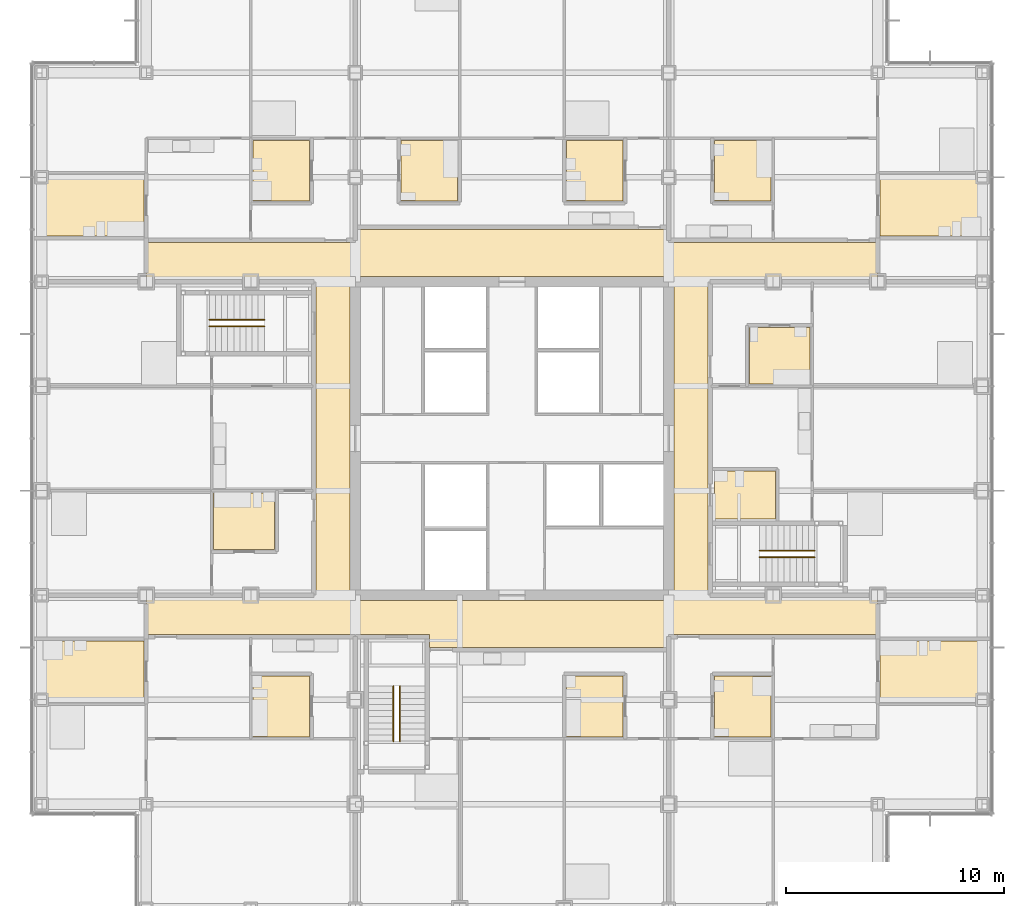
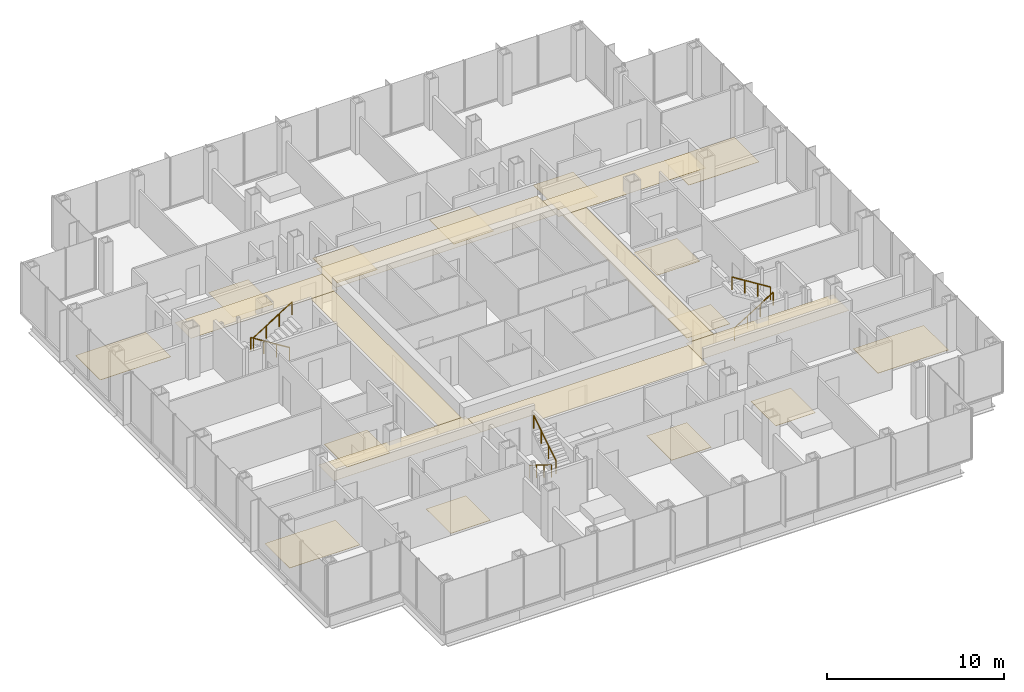
# One storey, part 19 of 21: 22 coverings, 6 railings.
"""IFC4 building model written with IfcOpenShell, lengths in metres."""

from ifc_helpers import new_model, si_unit, direction, frame, origin, origin_2d, place, context, subcontext, project, spatial, polyline, circle, outline, extrude, material, layer, layer_set, type_object, element, save


model = new_model("IFC4")

# Units and contexts
model_context = context("Model", 3, precision=1e-05, world=origin(), true_north=direction((0.0, 1.0)))
body_context = subcontext(model_context, "Body", "Model", "MODEL_VIEW")
ifc_project = project(units=[si_unit("LENGTHUNIT", "METRE"), si_unit("AREAUNIT", "SQUARE_METRE"), si_unit("VOLUMEUNIT", "CUBIC_METRE"), si_unit("PLANEANGLEUNIT", "RADIAN"), si_unit("MASSUNIT", "GRAM", prefix="KILO")], contexts=[model_context])

# Site, building, storey
site_placement = place(None, origin())
site = spatial("IfcSite", under=ifc_project, at=site_placement, CompositionType="ELEMENT")
building_placement = place(site_placement, origin())
building = spatial("IfcBuilding", under=site, at=building_placement, Name="Kvirike Care Tower", CompositionType="ELEMENT")
storey_placement = place(building_placement, frame((0.0, 0.0, 62.0)))
storey = spatial("IfcBuildingStorey", under=building, at=storey_placement, Name="L16", CompositionType="ELEMENT", Elevation=62.0)

# Coverings
ifc_material_1 = material(Name="Perforated metal ceiling tile", Category="aluminium")
ifc_layer_1 = layer(ifc_material_1, 0.014892578125)
ifc_layer_set_1 = layer_set([ifc_layer_1], Name="CORRIDOR CEILING 15")
covering_type_1 = type_object("IfcCoveringType", Name="CORRIDOR CEILING 15", PredefinedType="CEILING", material=ifc_layer_set_1)
covering_1_placement = place(storey_placement, frame((0.0, 0.0, 2.5)))
element("IfcCovering", 1, at=covering_1_placement, inside=storey, type_object=covering_type_1, Name="Corridor ceiling L16", PredefinedType="CEILING", context=body_context, shape_type="SweptSolid", body=[
    extrude(outline(polyline([(4.800048828125, 27.0), (4.800048828125, 28.800048828125), (14.39990234375, 28.800048828125), (14.39990234375, 27.0), (4.800048828125, 27.0)])), origin(), (0.0, 0.0, 1.0), 0.014892578125),
])
covering_2_placement = place(storey_placement, frame((0.0, 0.0, 2.5)))
element("IfcCovering", 2, at=covering_2_placement, inside=storey, type_object=covering_type_1, Name="Corridor ceiling L16", PredefinedType="CEILING", context=body_context, shape_type="SweptSolid", body=[
    extrude(outline(polyline([(12.60009765625, 43.199951171875), (14.14990234375, 43.199951171875), (14.14990234375, 28.800048828125), (12.60009765625, 28.800048828125), (12.60009765625, 43.199951171875)])), origin(), (0.0, 0.0, 1.0), 0.014892578125),
])
covering_3_placement = place(storey_placement, frame((0.0, 0.0, 2.5)))
element("IfcCovering", 3, at=covering_3_placement, inside=storey, type_object=covering_type_1, Name="Corridor ceiling L16", PredefinedType="CEILING", context=body_context, shape_type="SweptSolid", body=[
    extrude(outline(polyline([(14.39990234375, 45.0), (14.39990234375, 43.199951171875), (4.800048828125, 43.199951171875), (4.800048828125, 45.0), (14.39990234375, 45.0)])), origin(), (0.0, 0.0, 1.0), 0.014892578125),
])
covering_4_placement = place(storey_placement, frame((0.0, 0.0, 2.5)))
element("IfcCovering", 4, at=covering_4_placement, inside=storey, type_object=covering_type_1, Name="Corridor ceiling L16", PredefinedType="CEILING", context=body_context, shape_type="SweptSolid", body=[
    extrude(outline(polyline([(14.39990234375, 28.550048828125), (28.800048828125, 28.550048828125), (28.800048828125, 26.39990234375), (17.800048828125, 26.39990234375), (17.800048828125, 27.0), (14.39990234375, 27.0), (14.39990234375, 28.550048828125)])), origin(), (0.0, 0.0, 1.0), 0.014892578125),
])
covering_5_placement = place(storey_placement, frame((0.0, 0.0, 2.5)))
element("IfcCovering", 5, at=covering_5_placement, inside=storey, type_object=covering_type_1, Name="Corridor ceiling L16", PredefinedType="CEILING", context=body_context, shape_type="SweptSolid", body=[
    extrude(outline(polyline([(28.800048828125, 45.60009765625), (28.800048828125, 43.449951171875), (14.39990234375, 43.449951171875), (14.39990234375, 45.60009765625), (28.800048828125, 45.60009765625)])), origin(), (0.0, 0.0, 1.0), 0.014892578125),
])
covering_6_placement = place(storey_placement, frame((0.0, 0.0, 2.5)))
element("IfcCovering", 6, at=covering_6_placement, inside=storey, type_object=covering_type_1, Name="Corridor ceiling L16", PredefinedType="CEILING", context=body_context, shape_type="SweptSolid", body=[
    extrude(outline(polyline([(28.800048828125, 27.0), (28.800048828125, 28.800048828125), (38.39990234375, 28.800048828125), (38.39990234375, 27.0), (28.800048828125, 27.0)])), origin(), (0.0, 0.0, 1.0), 0.014892578125),
])
covering_7_placement = place(storey_placement, frame((0.0, 0.0, 2.5)))
element("IfcCovering", 7, at=covering_7_placement, inside=storey, type_object=covering_type_1, Name="Corridor ceiling L16", PredefinedType="CEILING", context=body_context, shape_type="SweptSolid", body=[
    extrude(outline(polyline([(30.60009765625, 28.800048828125), (29.050048828125, 28.800048828125), (29.050048828125, 43.199951171875), (30.60009765625, 43.199951171875), (30.60009765625, 28.800048828125)])), origin(), (0.0, 0.0, 1.0), 0.014892578125),
])
covering_8_placement = place(storey_placement, frame((0.0, 0.0, 2.5)))
element("IfcCovering", 8, at=covering_8_placement, inside=storey, type_object=covering_type_1, Name="Corridor ceiling L16", PredefinedType="CEILING", context=body_context, shape_type="SweptSolid", body=[
    extrude(outline(polyline([(38.39990234375, 45.0), (38.39990234375, 43.199951171875), (28.800048828125, 43.199951171875), (28.800048828125, 45.0), (38.39990234375, 45.0)])), origin(), (0.0, 0.0, 1.0), 0.014892578125),
])

# Railings
ifc_material_2 = material(Name="Stainless steel handrail", Category="steel")
railing_type = type_object("IfcRailingType", Name="STAIR HANDRAIL 900", PredefinedType="HANDRAIL", material=ifc_material_2)
railing_1_placement = place(storey_placement, frame((10.219970703125, 41.449951171875, 0.175048828125)))
element("IfcRailing", 9, at=railing_1_placement, inside=storey, type_object=railing_type, Name="Stair 1 handrail L16 flight 1", PredefinedType="HANDRAIL", context=body_context, shape_type="SweptSolid", body=[
    extrude(circle(Radius=0.02490234375, at=origin_2d()), frame((0.0, 0.0, 0.875), z_axis=(-0.848007534815, 0.0, 0.529984170421), x_axis=(0.0, -1.0, 0.0)), (0.0, 0.0, 1.0), 2.9716796875),
    extrude(circle(Radius=0.02001953125, at=origin_2d()), origin(), (0.0, 0.0, 1.0), 0.849853515625),
    extrude(circle(Radius=0.02001953125, at=origin_2d()), frame((-0.840087890625, 0.0, 0.52490234375)), (0.0, 0.0, 1.0), 0.849853515625),
    extrude(circle(Radius=0.02001953125, at=origin_2d()), frame((-1.679931640625, 0.0, 1.050048828125)), (0.0, 0.0, 1.0), 0.849853515625),
    extrude(circle(Radius=0.02001953125, at=origin_2d()), frame((-2.52001953125, 0.0, 1.574951171875)), (0.0, 0.0, 1.0), 0.849853515625),
])
for number, where, name in (
    (10, (7.699951171875, 41.14990234375, 1.925048828125), "Stair 1 handrail L16 flight 2"),
    (11, (32.97998046875, 30.550048828125, 0.175048828125), "Stair 2 handrail L16 flight 1"),
):
    element("IfcRailing", number, at=place(storey_placement, frame(where)), inside=storey, type_object=railing_type, Name=name, PredefinedType="HANDRAIL", context=body_context, shape_type="SweptSolid", body=[
        extrude(circle(Radius=0.02490234375, at=origin_2d()), frame((0.0, 0.0, 0.875), z_axis=(0.848007534815, 0.0, 0.529984170421), x_axis=(0.0, 1.0, 0.0)), (0.0, 0.0, 1.0), 2.9716796875),
        extrude(circle(Radius=0.02001953125, at=origin_2d()), origin(), (0.0, 0.0, 1.0), 0.849853515625),
        extrude(circle(Radius=0.02001953125, at=origin_2d()), frame((0.840087890625, 0.0, 0.52490234375)), (0.0, 0.0, 1.0), 0.849853515625),
        extrude(circle(Radius=0.02001953125, at=origin_2d()), frame((1.679931640625, 0.0, 1.050048828125)), (0.0, 0.0, 1.0), 0.849853515625),
        extrude(circle(Radius=0.02001953125, at=origin_2d()), frame((2.52001953125, 0.0, 1.574951171875)), (0.0, 0.0, 1.0), 0.849853515625),
    ])
railing_2_placement = place(storey_placement, frame((35.5, 30.85009765625, 1.925048828125)))
element("IfcRailing", 12, at=railing_2_placement, inside=storey, type_object=railing_type, Name="Stair 2 handrail L16 flight 2", PredefinedType="HANDRAIL", context=body_context, shape_type="SweptSolid", body=[
    extrude(circle(Radius=0.02490234375, at=origin_2d()), frame((0.0, 0.0, 0.875), z_axis=(-0.848007534815, 0.0, 0.529984170421), x_axis=(0.0, -1.0, 0.0)), (0.0, 0.0, 1.0), 2.9716796875),
    extrude(circle(Radius=0.02001953125, at=origin_2d()), origin(), (0.0, 0.0, 1.0), 0.849853515625),
    extrude(circle(Radius=0.02001953125, at=origin_2d()), frame((-0.840087890625, 0.0, 0.52490234375)), (0.0, 0.0, 1.0), 0.849853515625),
    extrude(circle(Radius=0.02001953125, at=origin_2d()), frame((-1.679931640625, 0.0, 1.050048828125)), (0.0, 0.0, 1.0), 0.849853515625),
    extrude(circle(Radius=0.02001953125, at=origin_2d()), frame((-2.52001953125, 0.0, 1.574951171875)), (0.0, 0.0, 1.0), 0.849853515625),
])
railing_3_placement = place(storey_placement, frame((16.14990234375, 24.6201171875, 0.175048828125)))
element("IfcRailing", 13, at=railing_3_placement, inside=storey, type_object=railing_type, Name="Stair 5 handrail L16 flight 1", PredefinedType="HANDRAIL", context=body_context, shape_type="SweptSolid", body=[
    extrude(circle(Radius=0.02490234375, at=origin_2d()), frame((0.0, 0.0, 0.875), z_axis=(0.0, -0.848007534815, 0.529984170421), x_axis=(1.0, 0.0, 0.0)), (0.0, 0.0, 1.0), 2.9716796875),
    extrude(circle(Radius=0.02001953125, at=origin_2d()), origin(), (0.0, 0.0, 1.0), 0.849853515625),
    extrude(circle(Radius=0.02001953125, at=origin_2d()), frame((0.0, -0.840087890625, 0.52490234375)), (0.0, 0.0, 1.0), 0.849853515625),
    extrude(circle(Radius=0.02001953125, at=origin_2d()), frame((0.0, -1.679931640625, 1.050048828125)), (0.0, 0.0, 1.0), 0.849853515625),
    extrude(circle(Radius=0.02001953125, at=origin_2d()), frame((0.0, -2.52001953125, 1.574951171875)), (0.0, 0.0, 1.0), 0.849853515625),
])
railing_4_placement = place(storey_placement, frame((16.449951171875, 22.10009765625, 1.925048828125)))
element("IfcRailing", 14, at=railing_4_placement, inside=storey, type_object=railing_type, Name="Stair 5 handrail L16 flight 2", PredefinedType="HANDRAIL", context=body_context, shape_type="SweptSolid", body=[
    extrude(circle(Radius=0.02490234375, at=origin_2d()), frame((0.0, 0.0, 0.875), z_axis=(0.0, 0.848007534815, 0.529984170421), x_axis=(-1.0, 0.0, 0.0)), (0.0, 0.0, 1.0), 2.9716796875),
    extrude(circle(Radius=0.02001953125, at=origin_2d()), origin(), (0.0, 0.0, 1.0), 0.849853515625),
    extrude(circle(Radius=0.02001953125, at=origin_2d()), frame((0.0, 0.840087890625, 0.52490234375)), (0.0, 0.0, 1.0), 0.849853515625),
    extrude(circle(Radius=0.02001953125, at=origin_2d()), frame((0.0, 1.679931640625, 1.050048828125)), (0.0, 0.0, 1.0), 0.849853515625),
    extrude(circle(Radius=0.02001953125, at=origin_2d()), frame((0.0, 2.52001953125, 1.574951171875)), (0.0, 0.0, 1.0), 0.849853515625),
])

# Coverings
ifc_material_3 = material(Name="Slip-resistant vinyl safety flooring on screed")
ifc_layer_2 = layer(ifc_material_3, 0.02001953125)
ifc_layer_set_2 = layer_set([ifc_layer_2], Name="WET ROOM FLOOR 20")
covering_type_2 = type_object("IfcCoveringType", Name="WET ROOM FLOOR 20", PredefinedType="FLOORING", material=ifc_layer_set_2)
covering_9_placement = place(storey_placement, origin())
element("IfcCovering", 15, at=covering_9_placement, inside=storey, type_object=covering_type_2, Name="Shower room floor L16-004", PredefinedType="FLOORING", context=body_context, shape_type="SweptSolid", body=[
    extrude(outline(polyline([(0.10009765625, 23.89990234375), (0.10009765625, 26.699951171875), (4.699951171875, 26.699951171875), (4.699951171875, 23.89990234375), (0.10009765625, 23.89990234375)])), origin(), (0.0, 0.0, 1.0), 0.02001953125),
])
covering_10_placement = place(storey_placement, origin())
element("IfcCovering", 16, at=covering_10_placement, inside=storey, type_object=covering_type_2, Name="Bathroom floor L16-005", PredefinedType="FLOORING", context=body_context, shape_type="SweptSolid", body=[
    extrude(outline(polyline([(9.699951171875, 22.300048828125), (9.699951171875, 25.10009765625), (12.300048828125, 25.10009765625), (12.300048828125, 22.300048828125), (9.699951171875, 22.300048828125)])), origin(), (0.0, 0.0, 1.0), 0.02001953125),
])
covering_11_placement = place(storey_placement, origin())
element("IfcCovering", 17, at=covering_11_placement, inside=storey, type_object=covering_type_2, Name="Bathroom floor L16-013", PredefinedType="FLOORING", context=body_context, shape_type="SweptSolid", body=[
    extrude(outline(polyline([(7.89990234375, 33.5), (10.699951171875, 33.5), (10.699951171875, 30.89990234375), (7.89990234375, 30.89990234375), (7.89990234375, 33.5)])), origin(), (0.0, 0.0, 1.0), 0.02001953125),
])
covering_12_placement = place(storey_placement, origin())
element("IfcCovering", 18, at=covering_12_placement, inside=storey, type_object=covering_type_2, Name="Shower room floor L16-020", PredefinedType="FLOORING", context=body_context, shape_type="SweptSolid", body=[
    extrude(outline(polyline([(12.300048828125, 49.699951171875), (12.300048828125, 46.89990234375), (9.699951171875, 46.89990234375), (9.699951171875, 49.699951171875), (12.300048828125, 49.699951171875)])), origin(), (0.0, 0.0, 1.0), 0.02001953125),
])
covering_13_placement = place(storey_placement, origin())
element("IfcCovering", 19, at=covering_13_placement, inside=storey, type_object=covering_type_2, Name="Bathroom floor L16-021", PredefinedType="FLOORING", context=body_context, shape_type="SweptSolid", body=[
    extrude(outline(polyline([(4.699951171875, 48.10009765625), (4.699951171875, 45.300048828125), (0.10009765625, 45.300048828125), (0.10009765625, 48.10009765625), (4.699951171875, 48.10009765625)])), origin(), (0.0, 0.0, 1.0), 0.02001953125),
])
covering_14_placement = place(storey_placement, origin())
element("IfcCovering", 20, at=covering_14_placement, inside=storey, type_object=covering_type_2, Name="Bathroom floor L16-029", PredefinedType="FLOORING", context=body_context, shape_type="SweptSolid", body=[
    extrude(outline(polyline([(24.10009765625, 22.300048828125), (24.10009765625, 25.10009765625), (26.699951171875, 25.10009765625), (26.699951171875, 22.300048828125), (24.10009765625, 22.300048828125)])), origin(), (0.0, 0.0, 1.0), 0.02001953125),
])
covering_15_placement = place(storey_placement, origin())
element("IfcCovering", 21, at=covering_15_placement, inside=storey, type_object=covering_type_2, Name="Shower room floor L16-035", PredefinedType="FLOORING", context=body_context, shape_type="SweptSolid", body=[
    extrude(outline(polyline([(26.699951171875, 49.699951171875), (26.699951171875, 46.89990234375), (24.10009765625, 46.89990234375), (24.10009765625, 49.699951171875), (26.699951171875, 49.699951171875)])), origin(), (0.0, 0.0, 1.0), 0.02001953125),
])
covering_16_placement = place(storey_placement, origin())
element("IfcCovering", 22, at=covering_16_placement, inside=storey, type_object=covering_type_2, Name="Bathroom floor L16-036", PredefinedType="FLOORING", context=body_context, shape_type="SweptSolid", body=[
    extrude(outline(polyline([(19.10009765625, 49.699951171875), (19.10009765625, 46.89990234375), (16.5, 46.89990234375), (16.5, 49.699951171875), (19.10009765625, 49.699951171875)])), origin(), (0.0, 0.0, 1.0), 0.02001953125),
])
covering_17_placement = place(storey_placement, origin())
element("IfcCovering", 23, at=covering_17_placement, inside=storey, type_object=covering_type_2, Name="Shower room floor L16-041", PredefinedType="FLOORING", context=body_context, shape_type="SweptSolid", body=[
    extrude(outline(polyline([(30.89990234375, 22.300048828125), (30.89990234375, 25.10009765625), (33.5, 25.10009765625), (33.5, 22.300048828125), (30.89990234375, 22.300048828125)])), origin(), (0.0, 0.0, 1.0), 0.02001953125),
])
covering_18_placement = place(storey_placement, origin())
element("IfcCovering", 24, at=covering_18_placement, inside=storey, type_object=covering_type_2, Name="Bathroom floor L16-042", PredefinedType="FLOORING", context=body_context, shape_type="SweptSolid", body=[
    extrude(outline(polyline([(38.5, 23.89990234375), (38.5, 26.699951171875), (43.10009765625, 26.699951171875), (43.10009765625, 23.89990234375), (38.5, 23.89990234375)])), origin(), (0.0, 0.0, 1.0), 0.02001953125),
])
covering_19_placement = place(storey_placement, origin())
element("IfcCovering", 25, at=covering_19_placement, inside=storey, type_object=covering_type_2, Name="Accessible WC floor L16-050", PredefinedType="FLOORING", context=body_context, shape_type="SweptSolid", body=[
    extrude(outline(polyline([(33.699951171875, 32.300048828125), (30.89990234375, 32.300048828125), (30.89990234375, 34.5), (33.699951171875, 34.5), (33.699951171875, 32.300048828125)])), origin(), (0.0, 0.0, 1.0), 0.02001953125),
])
covering_20_placement = place(storey_placement, origin())
element("IfcCovering", 26, at=covering_20_placement, inside=storey, type_object=covering_type_2, Name="Bathroom floor L16-051", PredefinedType="FLOORING", context=body_context, shape_type="SweptSolid", body=[
    extrude(outline(polyline([(35.300048828125, 38.5), (32.5, 38.5), (32.5, 41.10009765625), (35.300048828125, 41.10009765625), (35.300048828125, 38.5)])), origin(), (0.0, 0.0, 1.0), 0.02001953125),
])
covering_21_placement = place(storey_placement, origin())
element("IfcCovering", 27, at=covering_21_placement, inside=storey, type_object=covering_type_2, Name="Shower room floor L16-057", PredefinedType="FLOORING", context=body_context, shape_type="SweptSolid", body=[
    extrude(outline(polyline([(43.10009765625, 48.10009765625), (43.10009765625, 45.300048828125), (38.5, 45.300048828125), (38.5, 48.10009765625), (43.10009765625, 48.10009765625)])), origin(), (0.0, 0.0, 1.0), 0.02001953125),
])
covering_22_placement = place(storey_placement, origin())
element("IfcCovering", 28, at=covering_22_placement, inside=storey, type_object=covering_type_2, Name="Bathroom floor L16-058", PredefinedType="FLOORING", context=body_context, shape_type="SweptSolid", body=[
    extrude(outline(polyline([(33.5, 49.699951171875), (33.5, 46.89990234375), (30.89990234375, 46.89990234375), (30.89990234375, 49.699951171875), (33.5, 49.699951171875)])), origin(), (0.0, 0.0, 1.0), 0.02001953125),
])

save(model, "model.ifc")
